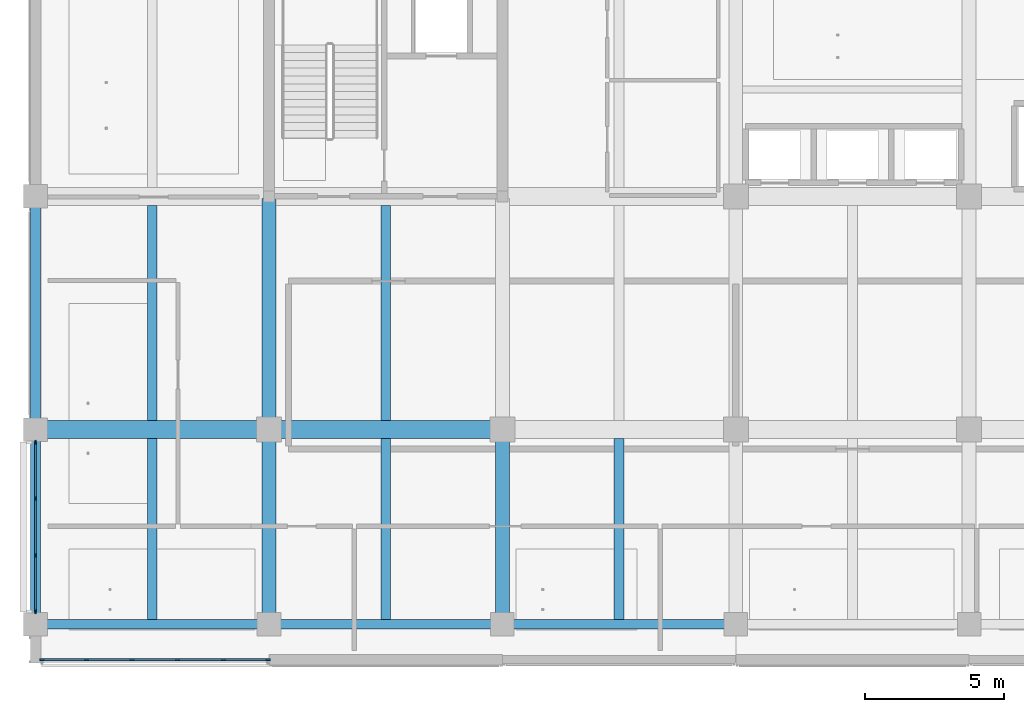
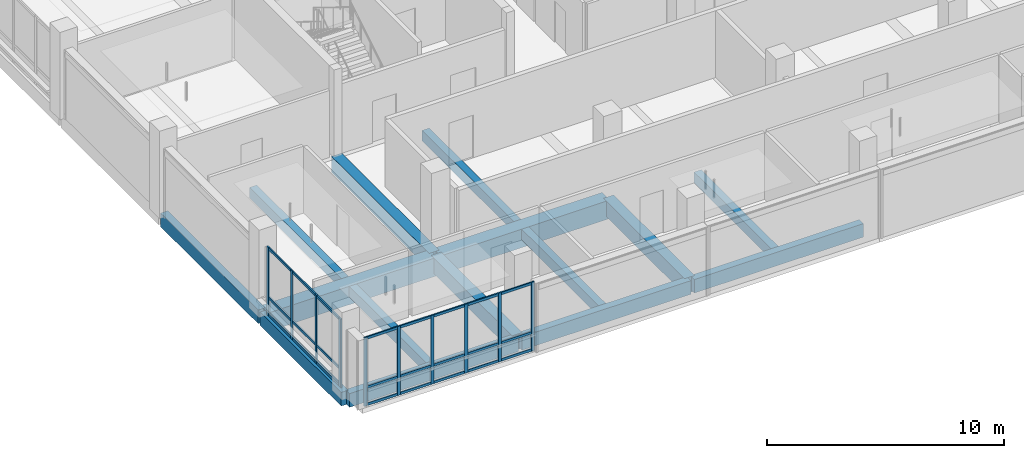
# One storey, part 2 of 36: 34 members, 15 beams, 2 elements without a shape of their own.
"""IFC4 building model written with IfcOpenShell, lengths in metres."""

from ifc_helpers import new_model, si_unit, direction, frame, origin, origin_2d, place, context, subcontext, project, spatial, rectangle, extrude, material, layer, layer_set, material_profile, profile_set, type_object, element, aggregate, save


model = new_model("IFC4")

# Units and contexts
model_context = context("Model", 3, precision=1e-05, world=origin(), true_north=direction((0.0, 1.0)))
body_context = subcontext(model_context, "Body", "Model", "MODEL_VIEW")
ifc_project = project(units=[si_unit("LENGTHUNIT", "METRE"), si_unit("AREAUNIT", "SQUARE_METRE"), si_unit("VOLUMEUNIT", "CUBIC_METRE"), si_unit("PLANEANGLEUNIT", "RADIAN"), si_unit("MASSUNIT", "GRAM", prefix="KILO")], contexts=[model_context])

# Site, building, storey
site_placement = place(None, origin())
site = spatial("IfcSite", under=ifc_project, at=site_placement, CompositionType="ELEMENT")
building_placement = place(site_placement, origin())
building = spatial("IfcBuilding", under=site, at=building_placement, Name="Telukmera Botanical Conservatory", CompositionType="ELEMENT")
storey_placement = place(building_placement, frame((0.0, 0.0, 24.0)))
storey = spatial("IfcBuildingStorey", under=building, at=storey_placement, Name="L05", CompositionType="ELEMENT", Elevation=24.0)

# Beams
ifc_material_1 = material(Name="Concrete C40/50", Category="concrete")
ifc_material_profile_1 = material_profile(ifc_material_1, rectangle(XDim=0.64990234375, YDim=0.949951171875, at=origin_2d()), Name="RC 650x950")
ifc_profile_set_1 = profile_set([ifc_material_profile_1], Name="Concrete C40/50")
beam_type_1 = type_object("IfcBeamType", Name="Beam_B2", PredefinedType="BEAM", material=ifc_profile_set_1)
beam_1_placement = place(storey_placement, frame((50.47998046875, 17.60009765625, -0.47509765625), z_axis=(1.0, 0.0, 0.0), x_axis=(0.0, 1.0, 0.0)))
element("IfcBeam", 1, at=beam_1_placement, inside=storey, type_object=beam_type_1, Name="Tower Grid Beam L05", PredefinedType="BEAM", context=body_context, shape_type="SweptSolid", body=[
    extrude(rectangle(XDim=0.64990234375, YDim=0.949951171875, at=origin_2d()), origin(), (0.0, 0.0, 1.0), 8.239990234375),
])
beam_2_placement = place(storey_placement, frame((58.8798828125, 17.60009765625, -0.47509765625), z_axis=(1.0, 0.0, 0.0), x_axis=(0.0, 1.0, 0.0)))
element("IfcBeam", 2, at=beam_2_placement, inside=storey, type_object=beam_type_1, Name="Tower Grid Beam L05", PredefinedType="BEAM", context=body_context, shape_type="SweptSolid", body=[
    extrude(rectangle(XDim=0.64990234375, YDim=0.949951171875, at=origin_2d()), origin(), (0.0, 0.0, 1.0), 8.240234375),
])
ifc_material_profile_2 = material_profile(ifc_material_1, rectangle(XDim=0.35009765625, YDim=0.550048828125, at=origin_2d()), Name="RC 350x550")
ifc_profile_set_2 = profile_set([ifc_material_profile_2], Name="Concrete C40/50")
beam_type_2 = type_object("IfcBeamType", Name="Beam_B21", PredefinedType="JOIST", material=ifc_profile_set_2)
beam_3_placement = place(storey_placement, frame((54.60009765625, 10.77490234375, -0.27490234375), z_axis=(0.0, 1.0, 0.0), x_axis=(-1.0, 0.0, 0.0)))
element("IfcBeam", 3, at=beam_3_placement, inside=storey, type_object=beam_type_2, Name="Tower Secondary Floor Joist L05", PredefinedType="JOIST", context=body_context, shape_type="SweptSolid", body=[
    extrude(rectangle(XDim=0.35009765625, YDim=0.550048828125, at=origin_2d()), origin(), (0.0, 0.0, 1.0), 6.5),
])
beam_4_placement = place(storey_placement, frame((54.60009765625, 17.925048828125, -0.27490234375), z_axis=(0.0, 1.0, 0.0), x_axis=(-1.0, 0.0, 0.0)))
element("IfcBeam", 4, at=beam_4_placement, inside=storey, type_object=beam_type_2, Name="Tower Secondary Floor Joist L05", PredefinedType="JOIST", context=body_context, shape_type="SweptSolid", body=[
    extrude(rectangle(XDim=0.35009765625, YDim=0.550048828125, at=origin_2d()), origin(), (0.0, 0.0, 1.0), 7.75),
])
beam_5_placement = place(storey_placement, frame((63.0, 10.77490234375, -0.27490234375), z_axis=(0.0, 1.0, 0.0), x_axis=(-1.0, 0.0, 0.0)))
element("IfcBeam", 5, at=beam_5_placement, inside=storey, type_object=beam_type_2, Name="Tower Secondary Floor Joist L05", PredefinedType="JOIST", context=body_context, shape_type="SweptSolid", body=[
    extrude(rectangle(XDim=0.35009765625, YDim=0.550048828125, at=origin_2d()), origin(), (0.0, 0.0, 1.0), 6.5),
])
beam_6_placement = place(storey_placement, frame((63.0, 17.925048828125, -0.27490234375), z_axis=(0.0, 1.0, 0.0), x_axis=(-1.0, 0.0, 0.0)))
element("IfcBeam", 6, at=beam_6_placement, inside=storey, type_object=beam_type_2, Name="Tower Secondary Floor Joist L05", PredefinedType="JOIST", context=body_context, shape_type="SweptSolid", body=[
    extrude(rectangle(XDim=0.35009765625, YDim=0.550048828125, at=origin_2d()), origin(), (0.0, 0.0, 1.0), 7.75),
])
beam_7_placement = place(storey_placement, frame((71.39990234375, 10.77490234375, -0.27490234375), z_axis=(0.0, 1.0, 0.0), x_axis=(-1.0, 0.0, 0.0)))
element("IfcBeam", 7, at=beam_7_placement, inside=storey, type_object=beam_type_2, Name="Tower Secondary Floor Joist L05", PredefinedType="JOIST", context=body_context, shape_type="SweptSolid", body=[
    extrude(rectangle(XDim=0.35009765625, YDim=0.550048828125, at=origin_2d()), origin(), (0.0, 0.0, 1.0), 6.5),
])
ifc_material_profile_3 = material_profile(ifc_material_1, rectangle(XDim=0.5, YDim=0.800048828125, at=origin_2d()), Name="RC 500x800")
ifc_profile_set_3 = profile_set([ifc_material_profile_3], Name="Concrete C40/50")
beam_type_3 = type_object("IfcBeamType", Name="Beam_B5", PredefinedType="BEAM", material=ifc_profile_set_3)
beam_8_placement = place(storey_placement, frame((58.800048828125, 10.679931640625, -0.39990234375), z_axis=(0.0, 1.0, 0.0), x_axis=(-1.0, 0.0, 0.0)))
element("IfcBeam", 8, at=beam_8_placement, inside=storey, type_object=beam_type_3, Name="Tower Transverse Beam L05", PredefinedType="BEAM", context=body_context, shape_type="SweptSolid", body=[
    extrude(rectangle(XDim=0.5, YDim=0.800048828125, at=origin_2d()), origin(), (0.0, 0.0, 1.0), 6.840087890625),
])
beam_9_placement = place(storey_placement, frame((58.800048828125, 17.679931640625, -0.39990234375), z_axis=(0.0, 1.0, 0.0), x_axis=(-1.0, 0.0, 0.0)))
element("IfcBeam", 9, at=beam_9_placement, inside=storey, type_object=beam_type_3, Name="Tower Transverse Beam L05", PredefinedType="BEAM", context=body_context, shape_type="SweptSolid", body=[
    extrude(rectangle(XDim=0.5, YDim=0.800048828125, at=origin_2d()), origin(), (0.0, 0.0, 1.0), 8.239990234375),
])
beam_10_placement = place(storey_placement, frame((67.199951171875, 10.679931640625, -0.39990234375), z_axis=(0.0, 1.0, 0.0), x_axis=(-1.0, 0.0, 0.0)))
element("IfcBeam", 10, at=beam_10_placement, inside=storey, type_object=beam_type_3, Name="Tower Transverse Beam L05", PredefinedType="BEAM", context=body_context, shape_type="SweptSolid", body=[
    extrude(rectangle(XDim=0.5, YDim=0.800048828125, at=origin_2d()), origin(), (0.0, 0.0, 1.0), 6.840087890625),
])
ifc_material_2 = material(Name="Precast concrete C40/50", Category="concrete")
ifc_material_profile_4 = material_profile(ifc_material_2, rectangle(XDim=0.35009765625, YDim=0.699951171875, at=origin_2d()), Name="PC 350x700")
ifc_profile_set_4 = profile_set([ifc_material_profile_4], Name="Precast concrete C40/50")
beam_type_4 = type_object("IfcBeamType", Name="Beam_SP2", PredefinedType="SPANDREL", material=ifc_profile_set_4)
beam_11_placement = place(storey_placement, frame((50.47998046875, 10.60009765625, -0.35009765625), z_axis=(1.0, 0.0, 0.0), x_axis=(0.0, 1.0, 0.0)))
element("IfcBeam", 11, at=beam_11_placement, inside=storey, type_object=beam_type_4, Name="Tower Grid Beam L05", PredefinedType="SPANDREL", context=body_context, shape_type="SweptSolid", body=[
    extrude(rectangle(XDim=0.35009765625, YDim=0.699951171875, at=origin_2d()), origin(), (0.0, 0.0, 1.0), 8.239990234375),
])
beam_12_placement = place(storey_placement, frame((58.8798828125, 10.60009765625, -0.35009765625), z_axis=(1.0, 0.0, 0.0), x_axis=(0.0, 1.0, 0.0)))
element("IfcBeam", 12, at=beam_12_placement, inside=storey, type_object=beam_type_4, Name="Tower Grid Beam L05", PredefinedType="SPANDREL", context=body_context, shape_type="SweptSolid", body=[
    extrude(rectangle(XDim=0.35009765625, YDim=0.699951171875, at=origin_2d()), origin(), (0.0, 0.0, 1.0), 8.240234375),
])
beam_13_placement = place(storey_placement, frame((67.280029296875, 10.60009765625, -0.35009765625), z_axis=(1.0, 0.0, 0.0), x_axis=(0.0, 1.0, 0.0)))
element("IfcBeam", 13, at=beam_13_placement, inside=storey, type_object=beam_type_4, Name="Tower Grid Beam L05", PredefinedType="SPANDREL", context=body_context, shape_type="SweptSolid", body=[
    extrude(rectangle(XDim=0.35009765625, YDim=0.699951171875, at=origin_2d()), origin(), (0.0, 0.0, 1.0), 8.239990234375),
])
beam_14_placement = place(storey_placement, frame((50.39990234375, 10.679931640625, -0.35009765625), z_axis=(0.0, 1.0, 0.0), x_axis=(-1.0, 0.0, 0.0)))
element("IfcBeam", 14, at=beam_14_placement, inside=storey, type_object=beam_type_4, Name="Tower Transverse Beam L05", PredefinedType="SPANDREL", context=body_context, shape_type="SweptSolid", body=[
    extrude(rectangle(XDim=0.35009765625, YDim=0.699951171875, at=origin_2d()), origin(), (0.0, 0.0, 1.0), 6.840087890625),
])
beam_15_placement = place(storey_placement, frame((50.39990234375, 17.679931640625, -0.35009765625), z_axis=(0.0, 1.0, 0.0), x_axis=(-1.0, 0.0, 0.0)))
element("IfcBeam", 15, at=beam_15_placement, inside=storey, type_object=beam_type_4, Name="Tower Transverse Beam L05", PredefinedType="SPANDREL", context=body_context, shape_type="SweptSolid", body=[
    extrude(rectangle(XDim=0.35009765625, YDim=0.699951171875, at=origin_2d()), origin(), (0.0, 0.0, 1.0), 8.239990234375),
])

# Curtain wall, members
ifc_material_3 = material(Name="Anodised aluminium 6063-T6", Category="aluminium")
ifc_layer = layer(ifc_material_3, 0.179931640625)
ifc_layer_set = layer_set([ifc_layer], Name="Anodised aluminium 6063-T6")
curtain_wall_type = type_object("IfcCurtainWallType", Name="Tower Herbarium Curation Corner Curtain Wall", PredefinedType="USERDEFINED", material=ifc_layer_set)
curtain_wall_1_placement = place(storey_placement, origin())
curtain_wall_1 = element("IfcCurtainWall", 16, at=curtain_wall_1_placement, inside=storey, type_object=curtain_wall_type, Name="Unitised Curtain Wall CW14 V4:L05:S1", ObjectType="UNITISED CURTAIN WALL", PredefinedType="USERDEFINED")
ifc_material_profile_5 = material_profile(ifc_material_3, rectangle(XDim=0.06494140625, YDim=0.159912109375, at=origin_2d()), Name="ALU MULL 65x160")
ifc_profile_set_5 = profile_set([ifc_material_profile_5], Name="Anodised aluminium 6063-T6")
member_type_1 = type_object("IfcMemberType", Name="Curtain Wall Extruded Mullion 65x160", PredefinedType="MULLION", material=ifc_profile_set_5)
member_1_placement = place(storey_placement, frame((50.62451171875, 9.320068359375, 0.0), z_axis=(0.0, 0.0, 1.0), x_axis=(0.0, 1.0, 0.0)))
member_1 = element("IfcMember", 17, at=member_1_placement, type_object=member_type_1, Name="CW14 mullion 1", PredefinedType="MULLION", context=body_context, shape_type="SweptSolid", body=[
    extrude(rectangle(XDim=0.06494140625, YDim=0.159912109375, at=origin_2d()), origin(), (0.0, 0.0, 1.0), 3.550048828125),
])
member_2_placement = place(storey_placement, frame((52.233154296875, 9.320068359375, 0.0), z_axis=(0.0, 0.0, 1.0), x_axis=(0.0, 1.0, 0.0)))
member_2 = element("IfcMember", 18, at=member_2_placement, type_object=member_type_1, Name="CW14 mullion 2", PredefinedType="MULLION", context=body_context, shape_type="SweptSolid", body=[
    extrude(rectangle(XDim=0.06494140625, YDim=0.159912109375, at=origin_2d()), origin(), (0.0, 0.0, 1.0), 3.550048828125),
])
member_3_placement = place(storey_placement, frame((53.87451171875, 9.320068359375, 0.0), z_axis=(0.0, 0.0, 1.0), x_axis=(0.0, 1.0, 0.0)))
member_3 = element("IfcMember", 19, at=member_3_placement, type_object=member_type_1, Name="CW14 mullion 3", PredefinedType="MULLION", context=body_context, shape_type="SweptSolid", body=[
    extrude(rectangle(XDim=0.06494140625, YDim=0.159912109375, at=origin_2d()), origin(), (0.0, 0.0, 1.0), 3.550048828125),
])
member_4_placement = place(storey_placement, frame((55.515625, 9.320068359375, 0.0), z_axis=(0.0, 0.0, 1.0), x_axis=(0.0, 1.0, 0.0)))
member_4 = element("IfcMember", 20, at=member_4_placement, type_object=member_type_1, Name="CW14 mullion 4", PredefinedType="MULLION", context=body_context, shape_type="SweptSolid", body=[
    extrude(rectangle(XDim=0.06494140625, YDim=0.159912109375, at=origin_2d()), origin(), (0.0, 0.0, 1.0), 3.550048828125),
])
member_5_placement = place(storey_placement, frame((57.15673828125, 9.320068359375, 0.0), z_axis=(0.0, 0.0, 1.0), x_axis=(0.0, 1.0, 0.0)))
member_5 = element("IfcMember", 21, at=member_5_placement, type_object=member_type_1, Name="CW14 mullion 5", PredefinedType="MULLION", context=body_context, shape_type="SweptSolid", body=[
    extrude(rectangle(XDim=0.06494140625, YDim=0.159912109375, at=origin_2d()), origin(), (0.0, 0.0, 1.0), 3.550048828125),
])
member_6_placement = place(storey_placement, frame((58.765380859375, 9.320068359375, 0.0), z_axis=(0.0, 0.0, 1.0), x_axis=(0.0, 1.0, 0.0)))
member_6 = element("IfcMember", 22, at=member_6_placement, type_object=member_type_1, Name="CW14 mullion 6", PredefinedType="MULLION", context=body_context, shape_type="SweptSolid", body=[
    extrude(rectangle(XDim=0.06494140625, YDim=0.159912109375, at=origin_2d()), origin(), (0.0, 0.0, 1.0), 3.550048828125),
])

curtain_wall_2_placement = place(storey_placement, origin())
curtain_wall_2 = element("IfcCurtainWall", 23, at=curtain_wall_2_placement, inside=storey, type_object=curtain_wall_type, Name="Unitised Curtain Wall CW14 V4:L05:W1", ObjectType="UNITISED CURTAIN WALL", PredefinedType="USERDEFINED")
member_7_placement = place(storey_placement, frame((50.39990234375, 11.0595703125, 0.0), z_axis=(0.0, 0.0, 1.0), x_axis=(-1.0, 0.0, 0.0)))
member_7 = element("IfcMember", 24, at=member_7_placement, type_object=member_type_1, Name="CW14 mullion 1", PredefinedType="MULLION", context=body_context, shape_type="SweptSolid", body=[
    extrude(rectangle(XDim=0.06494140625, YDim=0.159912109375, at=origin_2d()), origin(), (0.0, 0.0, 1.0), 3.550048828125),
])
member_8_placement = place(storey_placement, frame((50.39990234375, 13.07568359375, 0.0), z_axis=(0.0, 0.0, 1.0), x_axis=(-1.0, 0.0, 0.0)))
member_8 = element("IfcMember", 25, at=member_8_placement, type_object=member_type_1, Name="CW14 mullion 2", PredefinedType="MULLION", context=body_context, shape_type="SweptSolid", body=[
    extrude(rectangle(XDim=0.06494140625, YDim=0.159912109375, at=origin_2d()), origin(), (0.0, 0.0, 1.0), 3.550048828125),
])
member_9_placement = place(storey_placement, frame((50.39990234375, 15.124267578125, 0.0), z_axis=(0.0, 0.0, 1.0), x_axis=(-1.0, 0.0, 0.0)))
member_9 = element("IfcMember", 26, at=member_9_placement, type_object=member_type_1, Name="CW14 mullion 3", PredefinedType="MULLION", context=body_context, shape_type="SweptSolid", body=[
    extrude(rectangle(XDim=0.06494140625, YDim=0.159912109375, at=origin_2d()), origin(), (0.0, 0.0, 1.0), 3.550048828125),
])
member_10_placement = place(storey_placement, frame((50.39990234375, 17.140380859375, 0.0), z_axis=(0.0, 0.0, 1.0), x_axis=(-1.0, 0.0, 0.0)))
member_10 = element("IfcMember", 27, at=member_10_placement, type_object=member_type_1, Name="CW14 mullion 4", PredefinedType="MULLION", context=body_context, shape_type="SweptSolid", body=[
    extrude(rectangle(XDim=0.06494140625, YDim=0.159912109375, at=origin_2d()), origin(), (0.0, 0.0, 1.0), 3.550048828125),
])

# Member
ifc_material_profile_6 = material_profile(ifc_material_3, rectangle(XDim=0.06494140625, YDim=0.1298828125, at=origin_2d()), Name="ALU TRAN 65x130")
ifc_profile_set_6 = profile_set([ifc_material_profile_6], Name="Anodised aluminium 6063-T6")
member_type_2 = type_object("IfcMemberType", Name="Curtain Wall Extruded Transom 65x130", PredefinedType="USERDEFINED", material=ifc_profile_set_6)
member_11_placement = place(storey_placement, frame((50.656982421875, 9.320068359375, 0.06494140625), z_axis=(1.0, 0.0, 0.0), x_axis=(0.0, 1.0, 0.0)))
member_11 = element("IfcMember", 28, at=member_11_placement, type_object=member_type_2, Name="CW14 transom 1.1", ObjectType="TRANSOM", PredefinedType="USERDEFINED", context=body_context, shape_type="SweptSolid", body=[
    extrude(rectangle(XDim=0.06494140625, YDim=0.1298828125, at=origin_2d()), origin(), (0.0, 0.0, 1.0), 1.543701171875),
])

member_12_placement = place(storey_placement, frame((50.656982421875, 9.320068359375, 0.949951171875), z_axis=(1.0, 0.0, 0.0), x_axis=(0.0, 1.0, 0.0)))
member_12 = element("IfcMember", 29, at=member_12_placement, type_object=member_type_2, Name="CW14 transom 1.2", ObjectType="TRANSOM", PredefinedType="USERDEFINED", context=body_context, shape_type="SweptSolid", body=[
    extrude(rectangle(XDim=0.06494140625, YDim=0.1298828125, at=origin_2d()), origin(), (0.0, 0.0, 1.0), 1.543701171875),
])

member_13_placement = place(storey_placement, frame((50.656982421875, 9.320068359375, 3.485107421875), z_axis=(1.0, 0.0, 0.0), x_axis=(0.0, 1.0, 0.0)))
member_13 = element("IfcMember", 30, at=member_13_placement, type_object=member_type_2, Name="CW14 transom 1.3", ObjectType="TRANSOM", PredefinedType="USERDEFINED", context=body_context, shape_type="SweptSolid", body=[
    extrude(rectangle(XDim=0.06494140625, YDim=0.1298828125, at=origin_2d()), origin(), (0.0, 0.0, 1.0), 1.543701171875),
])

member_14_placement = place(storey_placement, frame((52.265625, 9.320068359375, 0.06494140625), z_axis=(1.0, 0.0, 0.0), x_axis=(0.0, 1.0, 0.0)))
member_14 = element("IfcMember", 31, at=member_14_placement, type_object=member_type_2, Name="CW14 transom 2.1", ObjectType="TRANSOM", PredefinedType="USERDEFINED", context=body_context, shape_type="SweptSolid", body=[
    extrude(rectangle(XDim=0.06494140625, YDim=0.1298828125, at=origin_2d()), origin(), (0.0, 0.0, 1.0), 1.576171875),
])

member_15_placement = place(storey_placement, frame((52.265625, 9.320068359375, 0.949951171875), z_axis=(1.0, 0.0, 0.0), x_axis=(0.0, 1.0, 0.0)))
member_15 = element("IfcMember", 32, at=member_15_placement, type_object=member_type_2, Name="CW14 transom 2.2", ObjectType="TRANSOM", PredefinedType="USERDEFINED", context=body_context, shape_type="SweptSolid", body=[
    extrude(rectangle(XDim=0.06494140625, YDim=0.1298828125, at=origin_2d()), origin(), (0.0, 0.0, 1.0), 1.576171875),
])

member_16_placement = place(storey_placement, frame((52.265625, 9.320068359375, 3.485107421875), z_axis=(1.0, 0.0, 0.0), x_axis=(0.0, 1.0, 0.0)))
member_16 = element("IfcMember", 33, at=member_16_placement, type_object=member_type_2, Name="CW14 transom 2.3", ObjectType="TRANSOM", PredefinedType="USERDEFINED", context=body_context, shape_type="SweptSolid", body=[
    extrude(rectangle(XDim=0.06494140625, YDim=0.1298828125, at=origin_2d()), origin(), (0.0, 0.0, 1.0), 1.576171875),
])

member_17_placement = place(storey_placement, frame((53.906982421875, 9.320068359375, 0.06494140625), z_axis=(1.0, 0.0, 0.0), x_axis=(0.0, 1.0, 0.0)))
member_17 = element("IfcMember", 34, at=member_17_placement, type_object=member_type_2, Name="CW14 transom 3.1", ObjectType="TRANSOM", PredefinedType="USERDEFINED", context=body_context, shape_type="SweptSolid", body=[
    extrude(rectangle(XDim=0.06494140625, YDim=0.1298828125, at=origin_2d()), origin(), (0.0, 0.0, 1.0), 1.576171875),
])

member_18_placement = place(storey_placement, frame((53.906982421875, 9.320068359375, 0.949951171875), z_axis=(1.0, 0.0, 0.0), x_axis=(0.0, 1.0, 0.0)))
member_18 = element("IfcMember", 35, at=member_18_placement, type_object=member_type_2, Name="CW14 transom 3.2", ObjectType="TRANSOM", PredefinedType="USERDEFINED", context=body_context, shape_type="SweptSolid", body=[
    extrude(rectangle(XDim=0.06494140625, YDim=0.1298828125, at=origin_2d()), origin(), (0.0, 0.0, 1.0), 1.576171875),
])

member_19_placement = place(storey_placement, frame((53.906982421875, 9.320068359375, 3.485107421875), z_axis=(1.0, 0.0, 0.0), x_axis=(0.0, 1.0, 0.0)))
member_19 = element("IfcMember", 36, at=member_19_placement, type_object=member_type_2, Name="CW14 transom 3.3", ObjectType="TRANSOM", PredefinedType="USERDEFINED", context=body_context, shape_type="SweptSolid", body=[
    extrude(rectangle(XDim=0.06494140625, YDim=0.1298828125, at=origin_2d()), origin(), (0.0, 0.0, 1.0), 1.576171875),
])

member_20_placement = place(storey_placement, frame((55.548095703125, 9.320068359375, 0.06494140625), z_axis=(1.0, 0.0, 0.0), x_axis=(0.0, 1.0, 0.0)))
member_20 = element("IfcMember", 37, at=member_20_placement, type_object=member_type_2, Name="CW14 transom 4.1", ObjectType="TRANSOM", PredefinedType="USERDEFINED", context=body_context, shape_type="SweptSolid", body=[
    extrude(rectangle(XDim=0.06494140625, YDim=0.1298828125, at=origin_2d()), origin(), (0.0, 0.0, 1.0), 1.576171875),
])

member_21_placement = place(storey_placement, frame((55.548095703125, 9.320068359375, 0.949951171875), z_axis=(1.0, 0.0, 0.0), x_axis=(0.0, 1.0, 0.0)))
member_21 = element("IfcMember", 38, at=member_21_placement, type_object=member_type_2, Name="CW14 transom 4.2", ObjectType="TRANSOM", PredefinedType="USERDEFINED", context=body_context, shape_type="SweptSolid", body=[
    extrude(rectangle(XDim=0.06494140625, YDim=0.1298828125, at=origin_2d()), origin(), (0.0, 0.0, 1.0), 1.576171875),
])

member_22_placement = place(storey_placement, frame((55.548095703125, 9.320068359375, 3.485107421875), z_axis=(1.0, 0.0, 0.0), x_axis=(0.0, 1.0, 0.0)))
member_22 = element("IfcMember", 39, at=member_22_placement, type_object=member_type_2, Name="CW14 transom 4.3", ObjectType="TRANSOM", PredefinedType="USERDEFINED", context=body_context, shape_type="SweptSolid", body=[
    extrude(rectangle(XDim=0.06494140625, YDim=0.1298828125, at=origin_2d()), origin(), (0.0, 0.0, 1.0), 1.576171875),
])

member_23_placement = place(storey_placement, frame((57.189208984375, 9.320068359375, 0.06494140625), z_axis=(1.0, 0.0, 0.0), x_axis=(0.0, 1.0, 0.0)))
member_23 = element("IfcMember", 40, at=member_23_placement, type_object=member_type_2, Name="CW14 transom 5.1", ObjectType="TRANSOM", PredefinedType="USERDEFINED", context=body_context, shape_type="SweptSolid", body=[
    extrude(rectangle(XDim=0.06494140625, YDim=0.1298828125, at=origin_2d()), origin(), (0.0, 0.0, 1.0), 1.543701171875),
])

member_24_placement = place(storey_placement, frame((57.189208984375, 9.320068359375, 0.949951171875), z_axis=(1.0, 0.0, 0.0), x_axis=(0.0, 1.0, 0.0)))
member_24 = element("IfcMember", 41, at=member_24_placement, type_object=member_type_2, Name="CW14 transom 5.2", ObjectType="TRANSOM", PredefinedType="USERDEFINED", context=body_context, shape_type="SweptSolid", body=[
    extrude(rectangle(XDim=0.06494140625, YDim=0.1298828125, at=origin_2d()), origin(), (0.0, 0.0, 1.0), 1.543701171875),
])

member_25_placement = place(storey_placement, frame((57.189208984375, 9.320068359375, 3.485107421875), z_axis=(1.0, 0.0, 0.0), x_axis=(0.0, 1.0, 0.0)))
member_25 = element("IfcMember", 42, at=member_25_placement, type_object=member_type_2, Name="CW14 transom 5.3", ObjectType="TRANSOM", PredefinedType="USERDEFINED", context=body_context, shape_type="SweptSolid", body=[
    extrude(rectangle(XDim=0.06494140625, YDim=0.1298828125, at=origin_2d()), origin(), (0.0, 0.0, 1.0), 1.543701171875),
])

aggregate(curtain_wall_1, [member_1, member_2, member_3, member_4, member_5, member_6, member_11, member_12, member_13, member_14, member_15, member_16, member_17, member_18, member_19, member_20, member_21, member_22, member_23, member_24, member_25])

member_26_placement = place(storey_placement, frame((50.39990234375, 11.092041015625, 0.06494140625), z_axis=(0.0, 1.0, 0.0), x_axis=(-1.0, 0.0, 0.0)))
member_26 = element("IfcMember", 43, at=member_26_placement, type_object=member_type_2, Name="CW14 transom 1.1", ObjectType="TRANSOM", PredefinedType="USERDEFINED", context=body_context, shape_type="SweptSolid", body=[
    extrude(rectangle(XDim=0.06494140625, YDim=0.1298828125, at=origin_2d()), origin(), (0.0, 0.0, 1.0), 1.951171875),
])

member_27_placement = place(storey_placement, frame((50.39990234375, 11.092041015625, 0.949951171875), z_axis=(0.0, 1.0, 0.0), x_axis=(-1.0, 0.0, 0.0)))
member_27 = element("IfcMember", 44, at=member_27_placement, type_object=member_type_2, Name="CW14 transom 1.2", ObjectType="TRANSOM", PredefinedType="USERDEFINED", context=body_context, shape_type="SweptSolid", body=[
    extrude(rectangle(XDim=0.06494140625, YDim=0.1298828125, at=origin_2d()), origin(), (0.0, 0.0, 1.0), 1.951171875),
])

member_28_placement = place(storey_placement, frame((50.39990234375, 11.092041015625, 3.485107421875), z_axis=(0.0, 1.0, 0.0), x_axis=(-1.0, 0.0, 0.0)))
member_28 = element("IfcMember", 45, at=member_28_placement, type_object=member_type_2, Name="CW14 transom 1.3", ObjectType="TRANSOM", PredefinedType="USERDEFINED", context=body_context, shape_type="SweptSolid", body=[
    extrude(rectangle(XDim=0.06494140625, YDim=0.1298828125, at=origin_2d()), origin(), (0.0, 0.0, 1.0), 1.951171875),
])

member_29_placement = place(storey_placement, frame((50.39990234375, 13.108154296875, 0.06494140625), z_axis=(0.0, 1.0, 0.0), x_axis=(-1.0, 0.0, 0.0)))
member_29 = element("IfcMember", 46, at=member_29_placement, type_object=member_type_2, Name="CW14 transom 2.1", ObjectType="TRANSOM", PredefinedType="USERDEFINED", context=body_context, shape_type="SweptSolid", body=[
    extrude(rectangle(XDim=0.06494140625, YDim=0.1298828125, at=origin_2d()), origin(), (0.0, 0.0, 1.0), 1.983642578125),
])

member_30_placement = place(storey_placement, frame((50.39990234375, 13.108154296875, 0.949951171875), z_axis=(0.0, 1.0, 0.0), x_axis=(-1.0, 0.0, 0.0)))
member_30 = element("IfcMember", 47, at=member_30_placement, type_object=member_type_2, Name="CW14 transom 2.2", ObjectType="TRANSOM", PredefinedType="USERDEFINED", context=body_context, shape_type="SweptSolid", body=[
    extrude(rectangle(XDim=0.06494140625, YDim=0.1298828125, at=origin_2d()), origin(), (0.0, 0.0, 1.0), 1.983642578125),
])

member_31_placement = place(storey_placement, frame((50.39990234375, 13.108154296875, 3.485107421875), z_axis=(0.0, 1.0, 0.0), x_axis=(-1.0, 0.0, 0.0)))
member_31 = element("IfcMember", 48, at=member_31_placement, type_object=member_type_2, Name="CW14 transom 2.3", ObjectType="TRANSOM", PredefinedType="USERDEFINED", context=body_context, shape_type="SweptSolid", body=[
    extrude(rectangle(XDim=0.06494140625, YDim=0.1298828125, at=origin_2d()), origin(), (0.0, 0.0, 1.0), 1.983642578125),
])

member_32_placement = place(storey_placement, frame((50.39990234375, 15.15673828125, 0.06494140625), z_axis=(0.0, 1.0, 0.0), x_axis=(-1.0, 0.0, 0.0)))
member_32 = element("IfcMember", 49, at=member_32_placement, type_object=member_type_2, Name="CW14 transom 3.1", ObjectType="TRANSOM", PredefinedType="USERDEFINED", context=body_context, shape_type="SweptSolid", body=[
    extrude(rectangle(XDim=0.06494140625, YDim=0.1298828125, at=origin_2d()), origin(), (0.0, 0.0, 1.0), 1.951171875),
])

member_33_placement = place(storey_placement, frame((50.39990234375, 15.15673828125, 0.949951171875), z_axis=(0.0, 1.0, 0.0), x_axis=(-1.0, 0.0, 0.0)))
member_33 = element("IfcMember", 50, at=member_33_placement, type_object=member_type_2, Name="CW14 transom 3.2", ObjectType="TRANSOM", PredefinedType="USERDEFINED", context=body_context, shape_type="SweptSolid", body=[
    extrude(rectangle(XDim=0.06494140625, YDim=0.1298828125, at=origin_2d()), origin(), (0.0, 0.0, 1.0), 1.951171875),
])

member_34_placement = place(storey_placement, frame((50.39990234375, 15.15673828125, 3.485107421875), z_axis=(0.0, 1.0, 0.0), x_axis=(-1.0, 0.0, 0.0)))
member_34 = element("IfcMember", 51, at=member_34_placement, type_object=member_type_2, Name="CW14 transom 3.3", ObjectType="TRANSOM", PredefinedType="USERDEFINED", context=body_context, shape_type="SweptSolid", body=[
    extrude(rectangle(XDim=0.06494140625, YDim=0.1298828125, at=origin_2d()), origin(), (0.0, 0.0, 1.0), 1.951171875),
])

aggregate(curtain_wall_2, [member_7, member_8, member_9, member_10, member_26, member_27, member_28, member_29, member_30, member_31, member_32, member_33, member_34])

save(model, "model.ifc")
